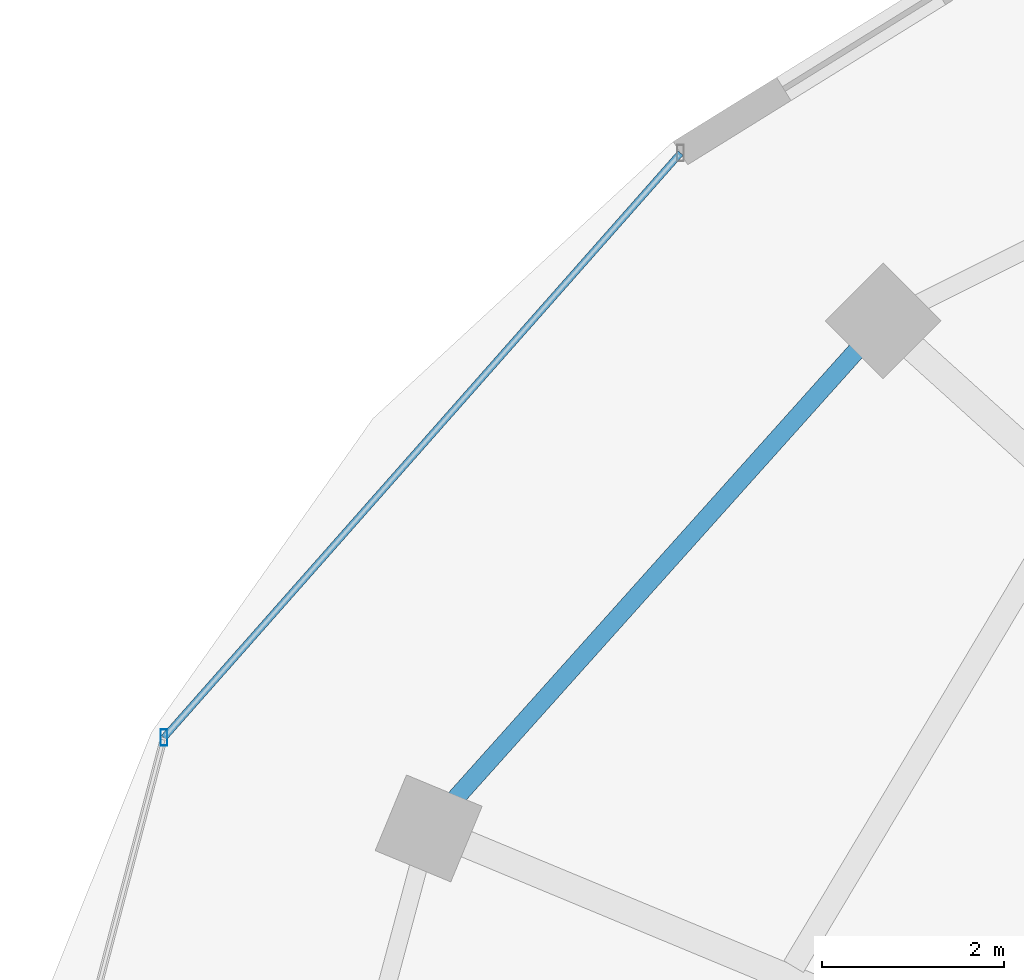
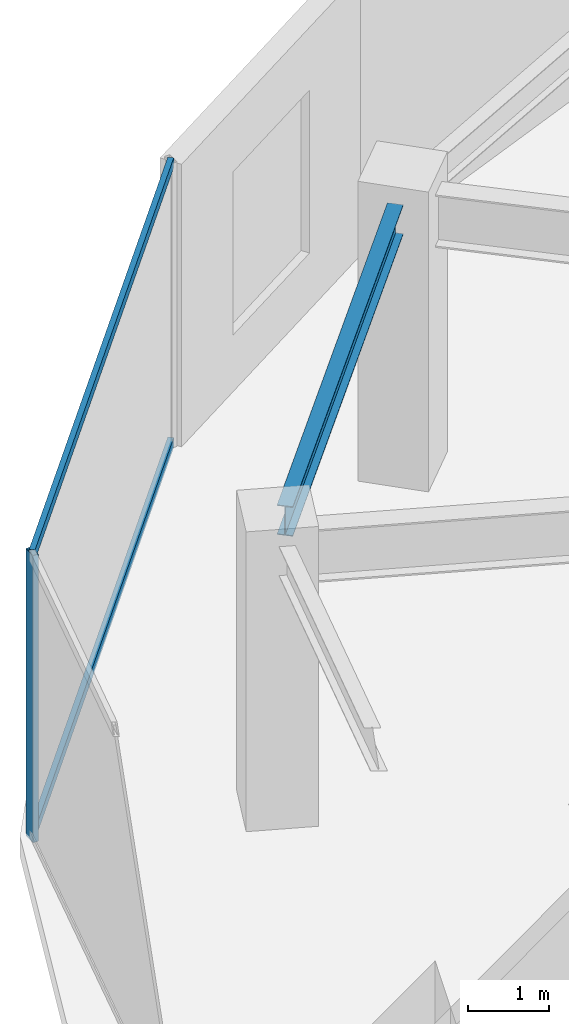
# One storey, part 9 of 27: 3 members, 1 beam, 1 element without a shape of its own.
"""IFC4 building model written with IfcOpenShell, lengths in metres."""

from ifc_helpers import new_model, si_unit, direction, frame, origin, origin_2d, place, context, subcontext, project, spatial, hollow_rectangle, i_section, extrude, material, material_profile, profile_set, type_object, element, aggregate, save


model = new_model("IFC4")

# Units and contexts
model_context = context("Model", 3, precision=1e-05, world=origin(), true_north=direction((0.0, 1.0)))
body_context = subcontext(model_context, "Body", "Model", "MODEL_VIEW")
ifc_project = project(units=[si_unit("LENGTHUNIT", "METRE"), si_unit("AREAUNIT", "SQUARE_METRE"), si_unit("VOLUMEUNIT", "CUBIC_METRE"), si_unit("PLANEANGLEUNIT", "RADIAN"), si_unit("MASSUNIT", "GRAM", prefix="KILO")], contexts=[model_context])

# Site, building, storey
site_placement = place(None, origin())
site = spatial("IfcSite", under=ifc_project, at=site_placement, CompositionType="ELEMENT")
building_placement = place(site_placement, origin())
building = spatial("IfcBuilding", under=site, at=building_placement, Name="Vorneva Point Tower", CompositionType="ELEMENT")
storey_placement = place(building_placement, frame((0.0, 0.0, 229.75)))
storey = spatial("IfcBuildingStorey", under=building, at=storey_placement, Name="L62", CompositionType="ELEMENT", Elevation=229.75)

# Beam
ifc_material_1 = material(Name="Steel S355", Category="steel")
ifc_material_profile_1 = material_profile(ifc_material_1, i_section(OverallWidth=0.198974609375, OverallDepth=0.446044921875, WebThickness=0.008056640625, FlangeThickness=0.011962890625, at=origin_2d()), Name="45B1")
ifc_profile_set_1 = profile_set([ifc_material_profile_1], Name="Steel S355")
beam_type = type_object("IfcBeamType", Name="BM-SPN-45B1", PredefinedType="SPANDREL", material=ifc_profile_set_1)
beam_placement = place(storey_placement, frame((21.410888671875, 37.838134765625, 4.01708984375), z_axis=(-0.66706970547, -0.744995307397, 0.0), x_axis=(0.744995307397, -0.66706970547, 0.0)))
element("IfcBeam", 1, at=beam_placement, inside=storey, type_object=beam_type, Name="L62 Perimeter Spandrel Ring Beam 07", PredefinedType="SPANDREL", context=body_context, shape_type="SweptSolid", body=[
    extrude(i_section(OverallWidth=0.198974609375, OverallDepth=0.446044921875, WebThickness=0.008056640625, FlangeThickness=0.011962890625, at=origin_2d()), origin(), (0.0, 0.0, 1.0), 6.6201171875),
])

# Curtain wall, members
ifc_material_2 = material(Name="Pale anodised aluminium", Category="aluminium")
curtain_wall_type = type_object("IfcCurtainWallType", Name="CW-SKY-SYS", PredefinedType="NOTDEFINED", material=ifc_material_2)
curtain_wall_placement = place(storey_placement, origin())
curtain_wall = element("IfcCurtainWall", 2, at=curtain_wall_placement, inside=storey, type_object=curtain_wall_type, Name="L62 Unitised Curtain Wall CW-L62-R03", PredefinedType="NOTDEFINED")
ifc_material_profile_2 = material_profile(ifc_material_2, hollow_rectangle(XDim=0.074951171875, YDim=0.179931640625, WallThickness=0.00390625, at=origin_2d()), Name="AL-MUL 180x75x4")
ifc_profile_set_2 = profile_set([ifc_material_profile_2], Name="Pale anodised aluminium")
member_type_1 = type_object("IfcMemberType", Name="CW-MUL-180", PredefinedType="MULLION", material=ifc_profile_set_2)
member_1_placement = place(storey_placement, frame((13.79443359375, 33.5810546875, -0.0400390625), z_axis=(0.0, 0.0, 1.0), x_axis=(1.0, 0.0, 0.0)))
member_1 = element("IfcMember", 3, at=member_1_placement, type_object=member_type_1, Name="CW-L62-R03 Mullion 02", PredefinedType="MULLION", context=body_context, shape_type="SweptSolid", body=[
    extrude(hollow_rectangle(XDim=0.074951171875, YDim=0.179931640625, WallThickness=0.00390625, at=origin_2d()), origin(), (0.0, 0.0, 1.0), 4.31005859375),
])
ifc_material_profile_3 = material_profile(ifc_material_2, hollow_rectangle(XDim=0.074951171875, YDim=0.14990234375, WallThickness=0.00390625, at=origin_2d()), Name="AL-TRN 150x75x4")
ifc_profile_set_3 = profile_set([ifc_material_profile_3], Name="Pale anodised aluminium")
member_type_2 = type_object("IfcMemberType", Name="CW-TRN-150", PredefinedType="USERDEFINED", material=ifc_profile_set_3)
member_2_placement = place(storey_placement, frame((19.473876953125, 40.0078125, 0.02001953125), z_axis=(-0.662196681357, -0.74933007093, 0.0), x_axis=(0.74933007093, -0.662196681357, 0.0)))
member_2 = element("IfcMember", 4, at=member_2_placement, type_object=member_type_2, Name="CW-L62-R03 Transom 01.1", ObjectType="TRANSOM", PredefinedType="USERDEFINED", context=body_context, shape_type="SweptSolid", body=[
    extrude(hollow_rectangle(XDim=0.074951171875, YDim=0.14990234375, WallThickness=0.00390625, at=origin_2d()), origin(), (0.0, 0.0, 1.0), 8.57666015625),
])
member_3_placement = place(storey_placement, frame((19.473876953125, 40.0078125, 4.219970703125), z_axis=(-0.662196681357, -0.74933007093, 0.0), x_axis=(0.74933007093, -0.662196681357, 0.0)))
member_3 = element("IfcMember", 5, at=member_3_placement, type_object=member_type_2, Name="CW-L62-R03 Transom 01.2", ObjectType="TRANSOM", PredefinedType="USERDEFINED", context=body_context, shape_type="SweptSolid", body=[
    extrude(hollow_rectangle(XDim=0.074951171875, YDim=0.14990234375, WallThickness=0.00390625, at=origin_2d()), origin(), (0.0, 0.0, 1.0), 8.57666015625),
])
aggregate(curtain_wall, [member_1, member_2, member_3])

save(model, "model.ifc")
